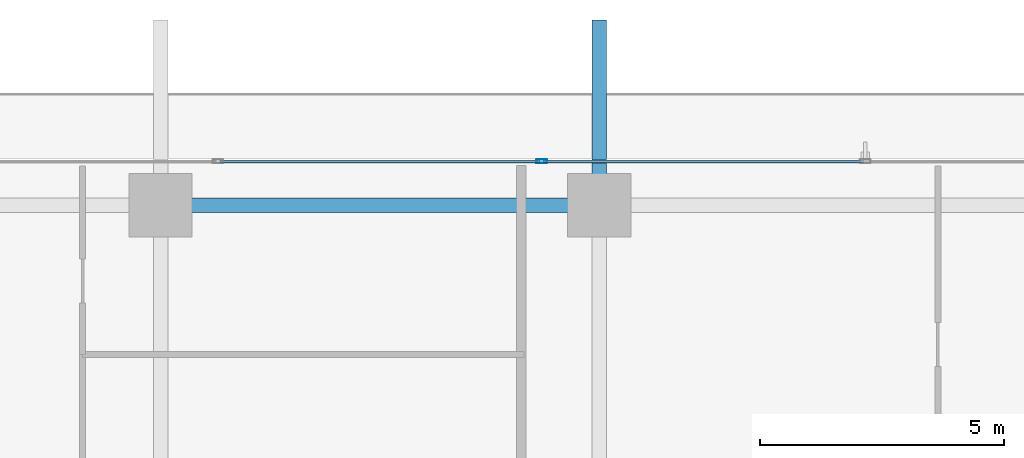
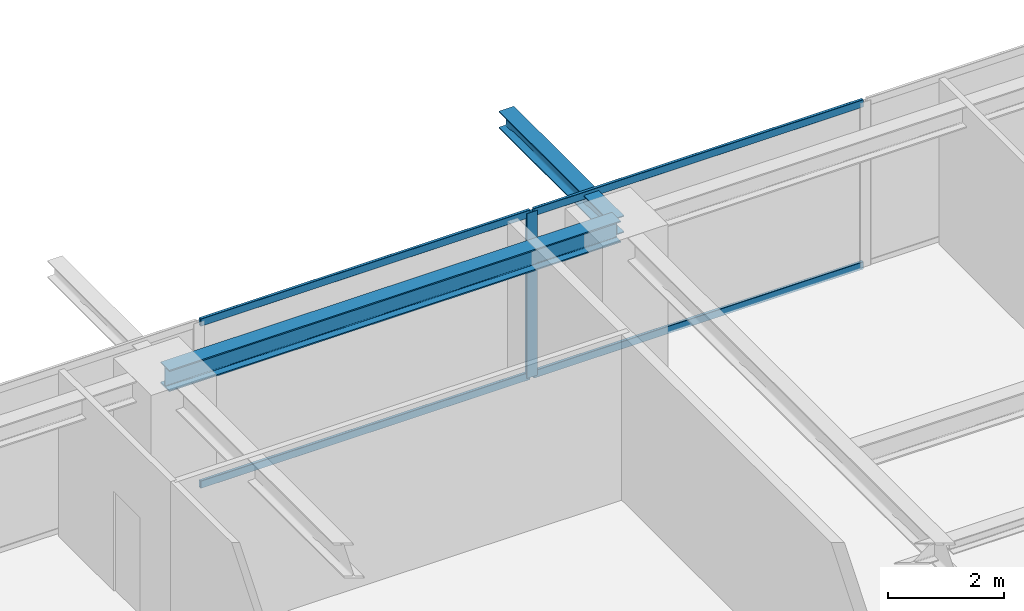
# One storey, part 20 of 35: 5 members, 2 beams, 1 element without a shape of its own.
"""IFC4 building model written with IfcOpenShell, lengths in metres."""

import ifcopenshell
import ifcopenshell.guid

model = None  # the IFC model being written
_history = None  # IfcOwnerHistory: only IFC2X3 demands one
_inside = {}  # id of a spatial element -> (the spatial element, [elements in it])
_under = {}  # id of a project, library or spatial element -> (it, [spatial elements below it])
_declared = {}  # id of a project -> (the project, [libraries it declares])
_typed = {}  # id of a type object -> (the type object, [elements of that type])
_made_of = {}  # id of a material, layer set ... -> (it, [elements and type objects made of it])


def new_model(schema):
    """Start an empty IFC model of exactly this schema.

    Asked for "IFC4X3", IfcOpenShell would pick the latest addendum, in which some entities
    have other attributes; the version numbers below select the first issue.
    IFC2X3 requires an IfcOwnerHistory on every rooted entity: one is made here for all.
    """
    global model, _history
    if schema == "IFC4X3":
        model = ifcopenshell.file(schema_version=(4, 3, 0, 0))
    else:
        model = ifcopenshell.file(schema=schema)
    _inside.clear()
    _under.clear()
    _declared.clear()
    _typed.clear()
    _made_of.clear()
    _history = None
    if model.schema == "IFC2X3":
        org = make("IfcOrganization", Name="unknown")
        user = make(
            "IfcPersonAndOrganization",
            ThePerson=make("IfcPerson", FamilyName="unknown"),
            TheOrganization=org,
        )
        app = make(
            "IfcApplication",
            ApplicationDeveloper=org,
            Version="unknown",
            ApplicationFullName="unknown",
            ApplicationIdentifier="unknown",
        )
        _history = make(
            "IfcOwnerHistory",
            OwningUser=user,
            OwningApplication=app,
            ChangeAction="ADDED",
            CreationDate=0,
        )
    return model


def make(cls, **values):
    """One entity of the class cls with the attributes given. An attribute that is None is left unset."""
    return model.create_entity(
        cls, **{name: value for name, value in values.items() if value is not None}
    )


def rooted(cls, **values):
    """An entity with a GlobalId (a new one), such as an element, a storey or a relation."""
    return make(cls, GlobalId=ifcopenshell.guid.new(), OwnerHistory=_history, **values)


def si_unit(unit_type, name, prefix=None):
    """IfcSIUnit, for example si_unit("LENGTHUNIT", "METRE", prefix="MILLI")."""
    return make("IfcSIUnit", UnitType=unit_type, Prefix=prefix, Name=name)


def assignment(units):
    """IfcUnitAssignment: the units of a project."""
    return None if units is None else make("IfcUnitAssignment", Units=units)


def point(xyz):
    """IfcCartesianPoint."""
    return None if xyz is None else make("IfcCartesianPoint", Coordinates=xyz)


def direction(xyz):
    """IfcDirection."""
    return None if xyz is None else make("IfcDirection", DirectionRatios=xyz)


def frame(location, z_axis=None, x_axis=None):
    """IfcAxis2Placement3D, a coordinate frame: its origin and axes. An axis left out is left unset."""
    return make(
        "IfcAxis2Placement3D",
        Location=point(location),
        Axis=direction(z_axis),
        RefDirection=direction(x_axis),
    )


def frame_2d(location, x_axis=None):
    """IfcAxis2Placement2D, a coordinate frame in the plane: its origin and x axis."""
    return make(
        "IfcAxis2Placement2D", Location=point(location), RefDirection=direction(x_axis)
    )


def origin():
    """The frame at (0, 0, 0) with its axes left unset."""
    return frame((0.0, 0.0, 0.0))


def origin_2d():
    """The frame at (0, 0) in the plane with its x axis left unset."""
    return frame_2d((0.0, 0.0))


def place(relative_to, where):
    """IfcLocalPlacement: puts the frame where relative to a parent placement (None: the world)."""
    return make(
        "IfcLocalPlacement", PlacementRelTo=relative_to, RelativePlacement=where
    )


def context(
    kind, dimensions, precision=None, world=None, true_north=None, identifier=None
):
    """IfcGeometricRepresentationContext, for example the 3D "Model" context."""
    return make(
        "IfcGeometricRepresentationContext",
        ContextIdentifier=identifier,
        ContextType=kind,
        CoordinateSpaceDimension=dimensions,
        Precision=precision,
        WorldCoordinateSystem=world,
        TrueNorth=true_north,
    )


def subcontext(parent, identifier, kind, view, scale=None):
    """IfcGeometricRepresentationSubContext, for example "Body" below "Model"."""
    return make(
        "IfcGeometricRepresentationSubContext",
        ContextIdentifier=identifier,
        ContextType=kind,
        ParentContext=parent,
        TargetScale=scale,
        TargetView=view,
    )


def project(units=None, contexts=None):
    """IfcProject with its units and contexts."""
    return rooted(
        "IfcProject",
        Name="project",
        RepresentationContexts=contexts,
        UnitsInContext=assignment(units),
    )


def spatial(cls, under=None, at=None, **own):
    """A site, building, storey or space (cls), placed at a placement, below another one or the project."""
    s = rooted(cls, ObjectPlacement=at, **own)
    if under is not None:
        _under.setdefault(under.id(), (under, []))[1].append(s)
    return s


def profile(cls, at=None, kind="AREA", **sizes):
    """A parametric profile (cls). Its sizes go by their IFC names, for example OverallWidth=200.0."""
    return make(cls, ProfileType=kind, Position=at, **sizes)


def hollow_rectangle(**sizes):
    """IfcRectangleHollowProfileDef."""
    return profile("IfcRectangleHollowProfileDef", **sizes)


def i_section(**sizes):
    """IfcIShapeProfileDef."""
    return profile("IfcIShapeProfileDef", **sizes)


def extrude(swept, where, along, depth):
    """IfcExtrudedAreaSolid: the profile swept, set in the frame where, extruded along a direction by depth."""
    return make(
        "IfcExtrudedAreaSolid",
        SweptArea=swept,
        Position=where,
        ExtrudedDirection=direction(along),
        Depth=depth,
    )


def shape(context_of_items, identifier, shape_type, items):
    """IfcShapeRepresentation: the items that make up one representation, for example the "Body"."""
    return make(
        "IfcShapeRepresentation",
        ContextOfItems=context_of_items,
        RepresentationIdentifier=identifier,
        RepresentationType=shape_type,
        Items=items,
    )


def source(mapping_origin, context_of_items, identifier, shape_type, items):
    """IfcRepresentationMap: a shape defined once, which mapped items show again and again."""
    return make(
        "IfcRepresentationMap",
        MappingOrigin=mapping_origin,
        MappedRepresentation=shape(context_of_items, identifier, shape_type, items),
    )


def transform(
    local_origin,
    x_axis=None,
    y_axis=None,
    z_axis=None,
    scale=None,
    scale2=None,
    scale3=None,
    uniform=True,
):
    """IfcCartesianTransformationOperator3D, or its non-uniform kind. x_axis, y_axis, z_axis: its Axis1, 2, 3."""
    if uniform:
        return make(
            "IfcCartesianTransformationOperator3D",
            Axis1=direction(x_axis),
            Axis2=direction(y_axis),
            LocalOrigin=point(local_origin),
            Scale=scale,
            Axis3=direction(z_axis),
        )
    return make(
        "IfcCartesianTransformationOperator3DnonUniform",
        Axis1=direction(x_axis),
        Axis2=direction(y_axis),
        LocalOrigin=point(local_origin),
        Scale=scale,
        Axis3=direction(z_axis),
        Scale2=scale2,
        Scale3=scale3,
    )


def mapped(mapping_source, mapping_target):
    """IfcMappedItem: shows the shape of a source again, moved by a transform."""
    return make(
        "IfcMappedItem", MappingSource=mapping_source, MappingTarget=mapping_target
    )


def material(Name=None, Category=None):
    """IfcMaterial."""
    return make("IfcMaterial", Name=Name, Category=Category)


def layer(
    of_material, thickness, ventilated=None, Name=None, Category=None, Priority=None
):
    """IfcMaterialLayer: one layer of a wall or slab, of a material (None: an air gap)."""
    return make(
        "IfcMaterialLayer",
        Material=of_material,
        LayerThickness=thickness,
        IsVentilated=ventilated,
        Name=Name,
        Category=Category,
        Priority=Priority,
    )


def layer_set(layers, Name=None):
    """IfcMaterialLayerSet."""
    return make("IfcMaterialLayerSet", MaterialLayers=layers, LayerSetName=Name)


def material_profile(
    of_material, cross_section, Name=None, Category=None, Priority=None
):
    """IfcMaterialProfile: a cross section and its material."""
    return make(
        "IfcMaterialProfile",
        Name=Name,
        Material=of_material,
        Profile=cross_section,
        Priority=Priority,
        Category=Category,
    )


def profile_set(profiles, Name=None, composite=None):
    """IfcMaterialProfileSet."""
    return make(
        "IfcMaterialProfileSet",
        Name=Name,
        MaterialProfiles=profiles,
        CompositeProfile=composite,
    )


def made_of(thing, what):
    """Note that an element or type object is made of a material, layer set ...; save() writes the relation."""
    if what is not None:
        _made_of.setdefault(what.id(), (what, []))[1].append(thing)
    return thing


def type_object(cls, material=None, **own):
    """A type object (cls), such as IfcWallType, which elements share."""
    return made_of(rooted(cls, **own), material)


def element(
    cls,
    number,
    at=None,
    inside=None,
    cuts=None,
    type_object=None,
    material=None,
    context=None,
    identifier="Body",
    shape_type=None,
    held_by="IfcProductDefinitionShape",
    body=None,
    shapes=None,
    **own,
):
    """One element of the class cls, such as IfcWall. Its Tag is "e" and its number.

    at: its placement. inside: the storey or other place that contains it. cuts: it is an
    opening in that element (IfcRelVoidsElement). A single representation is given by context,
    identifier, shape_type and body (its items); several are given by shapes. held_by: the class
    of the entity that holds the representations. save() writes the other relations.
    """
    e = rooted(cls, Tag="e%d" % number, ObjectPlacement=at, **own)
    if body is not None:
        shapes = [shape(context, identifier, shape_type, body)]
    if shapes is not None:
        e.Representation = make(held_by, Representations=shapes)
    if inside is not None:
        _inside.setdefault(inside.id(), (inside, []))[1].append(e)
    if cuts is not None:
        rooted(
            "IfcRelVoidsElement", RelatingBuildingElement=cuts, RelatedOpeningElement=e
        )
    if type_object is not None:
        _typed.setdefault(type_object.id(), (type_object, []))[1].append(e)
    return made_of(e, material)


def aggregate(whole, parts):
    """IfcRelAggregates: a whole, such as a stair, and the parts it consists of."""
    return rooted("IfcRelAggregates", RelatingObject=whole, RelatedObjects=parts)


def save(model, path):
    """Write the relations noted so far, then the file.

    IfcRelAggregates (storeys below a building ...), IfcRelContainedInSpatialStructure (elements
    in a storey), IfcRelDefinesByType, IfcRelAssociatesMaterial and IfcRelDeclares: one each for
    every whole, place, type object, material and project.
    """
    for whole, parts in _under.values():
        aggregate(whole, parts)
    for where, things in _inside.values():
        rooted(
            "IfcRelContainedInSpatialStructure",
            RelatedElements=things,
            RelatingStructure=where,
        )
    for kind, things in _typed.values():
        rooted("IfcRelDefinesByType", RelatedObjects=things, RelatingType=kind)
    for what, things in _made_of.values():
        rooted("IfcRelAssociatesMaterial", RelatedObjects=things, RelatingMaterial=what)
    for by, libraries in _declared.values():
        rooted("IfcRelDeclares", RelatingContext=by, RelatedDefinitions=libraries)
    model.write(path)


model = new_model("IFC4")

# Units and contexts
model_context = context("Model", 3, precision=1e-05, world=origin(), true_north=direction((0.0, 1.0)))
body_context = subcontext(model_context, "Body", "Model", "MODEL_VIEW")
ifc_project = project(units=[si_unit("LENGTHUNIT", "METRE"), si_unit("AREAUNIT", "SQUARE_METRE"), si_unit("VOLUMEUNIT", "CUBIC_METRE"), si_unit("PLANEANGLEUNIT", "RADIAN"), si_unit("MASSUNIT", "GRAM", prefix="KILO")], contexts=[model_context])

# Site, building, storey
site_placement = place(None, origin())
site = spatial("IfcSite", under=ifc_project, at=site_placement, CompositionType="ELEMENT")
building_placement = place(site_placement, origin())
building = spatial("IfcBuilding", under=site, at=building_placement, Name="Serunith Strait Residences", CompositionType="ELEMENT")
storey_placement = place(building_placement, frame((0.0, 0.0, 191.39990234375)))
storey = spatial("IfcBuildingStorey", under=building, at=storey_placement, Name="L48", CompositionType="ELEMENT", Elevation=191.39990234375)

# Beams
ifc_material_1 = material(Name="Steel S355J2", Category="steel")
ifc_material_profile_1 = material_profile(ifc_material_1, i_section(OverallWidth=0.300048828125, OverallDepth=0.449951171875, WebThickness=0.013916015625, FlangeThickness=0.02587890625, FilletRadius=0.027099609375, at=origin_2d()), Name="HEB 450")
ifc_profile_set_1 = profile_set([ifc_material_profile_1], Name="Steel S355J2")
beam_type_1 = type_object("IfcBeamType", Name="BM-HEB450", PredefinedType="BEAM", material=ifc_profile_set_1)
shared_shape_1 = source(origin(), body_context, "Body", "SweptSolid", [
    extrude(i_section(OverallWidth=0.300048828125, OverallDepth=0.449951171875, WebThickness=0.013916015625, FlangeThickness=0.02587890625, FilletRadius=0.027099609375, at=origin_2d()), origin(), (0.0, 0.0, 1.0), 9.0),
])
beam_1_placement = place(storey_placement, frame((36.89990234375, 48.10009765625, 3.26220703125), z_axis=(-1.0, 0.0, 0.0), x_axis=(0.0, -1.0, 0.0)))
element("IfcBeam", 1, at=beam_1_placement, inside=storey, type_object=beam_type_1, Name="L48 Perimeter Ring Beam 10", PredefinedType="BEAM", context=body_context, shape_type="MappedRepresentation", body=[
    mapped(shared_shape_1, transform((0.0, 0.0, 0.0), scale=1.0)),
])
ifc_material_profile_2 = material_profile(ifc_material_1, i_section(OverallWidth=0.300048828125, OverallDepth=0.360107421875, WebThickness=0.012451171875, FlangeThickness=0.0224609375, FilletRadius=0.027099609375, at=origin_2d()), Name="HEB 360")
ifc_profile_set_2 = profile_set([ifc_material_profile_2], Name="Steel S355J2")
beam_type_2 = type_object("IfcBeamType", Name="BM-HEB360", PredefinedType="BEAM", material=ifc_profile_set_2)
shared_shape_2 = source(origin(), body_context, "Body", "SweptSolid", [
    extrude(i_section(OverallWidth=0.300048828125, OverallDepth=0.360107421875, WebThickness=0.012451171875, FlangeThickness=0.0224609375, FilletRadius=0.027099609375, at=origin_2d()), origin(), (0.0, 0.0, 1.0), 3.7998046875),
])
beam_2_placement = place(storey_placement, frame((36.89990234375, 48.10009765625, 3.277099609375), z_axis=(0.0, 1.0, 0.0), x_axis=(-1.0, 0.0, 0.0)))
element("IfcBeam", 2, at=beam_2_placement, inside=storey, type_object=beam_type_2, Name="L49 Cantilevered Balcony Rib TC-N3", PredefinedType="BEAM", context=body_context, shape_type="MappedRepresentation", body=[
    mapped(shared_shape_2, transform((0.0, 0.0, 0.0), scale=1.0)),
])

# Curtain wall, members
ifc_material_2 = material(Name="Pale-Silver PVDF Aluminium", Category="aluminium")
ifc_layer = layer(ifc_material_2, 0.199951171875, Name="Pale-Silver PVDF Aluminium")
ifc_layer_set = layer_set([ifc_layer], Name="Pale-Silver PVDF Aluminium")
curtain_wall_type = type_object("IfcCurtainWallType", Name="CW-SYS3", PredefinedType="NOTDEFINED", material=ifc_layer_set)
curtain_wall_placement = place(storey_placement, origin())
curtain_wall = element("IfcCurtainWall", 3, at=curtain_wall_placement, inside=storey, type_object=curtain_wall_type, Name="L48 N Unitised Fritted Curtain Wall", PredefinedType="NOTDEFINED")
ifc_material_profile_3 = material_profile(ifc_material_2, hollow_rectangle(XDim=0.074951171875, YDim=0.219970703125, WallThickness=0.00390625, InnerFilletRadius=0.006103515625, OuterFilletRadius=0.010009765625, at=origin_2d()), Name="ALU 220x75x4")
ifc_profile_set_3 = profile_set([ifc_material_profile_3], Name="Pale-Silver PVDF Aluminium")
member_type_1 = type_object("IfcMemberType", Name="CW-SYS3-MULL", PredefinedType="MULLION", material=ifc_profile_set_3)
shared_shape_3 = source(origin(), body_context, "Body", "SweptSolid", [
    extrude(hollow_rectangle(XDim=0.074951171875, YDim=0.219970703125, WallThickness=0.00390625, InnerFilletRadius=0.006103515625, OuterFilletRadius=0.010009765625, at=origin_2d()), origin(), (0.0, 0.0, 1.0), 3.47509765625),
])
member_1_placement = place(storey_placement, frame((35.719970703125, 49.0, 0.0), z_axis=(0.0, 0.0, 1.0), x_axis=(0.0, -1.0, 0.0)))
member_1 = element("IfcMember", 4, at=member_1_placement, type_object=member_type_1, Name="CW-3 mullion 3", PredefinedType="MULLION", context=body_context, shape_type="MappedRepresentation", body=[
    mapped(shared_shape_3, transform((0.0, 0.0, 0.0), scale=1.0)),
])
ifc_material_profile_4 = material_profile(ifc_material_2, hollow_rectangle(XDim=0.06005859375, YDim=0.159912109375, WallThickness=0.00341796875, InnerFilletRadius=0.00537109375, OuterFilletRadius=0.0087890625, at=origin_2d()), Name="ALU 160x60x3.5")
ifc_profile_set_4 = profile_set([ifc_material_profile_4], Name="Pale-Silver PVDF Aluminium")
member_type_2 = type_object("IfcMemberType", Name="CW-SYS3-TRAN", PredefinedType="USERDEFINED", material=ifc_profile_set_4)
shared_shape_4 = source(origin(), body_context, "Body", "SweptSolid", [
    extrude(hollow_rectangle(XDim=0.06005859375, YDim=0.159912109375, WallThickness=0.00341796875, InnerFilletRadius=0.00537109375, OuterFilletRadius=0.0087890625, at=origin_2d()), origin(), (0.0, 0.0, 1.0), 6.56494140625),
])
member_2_placement = place(storey_placement, frame((42.322509765625, 49.0, 0.030029296875), z_axis=(-1.0, 0.0, 0.0), x_axis=(0.0, -1.0, 0.0)))
member_2 = element("IfcMember", 5, at=member_2_placement, type_object=member_type_2, Name="CW-3 transom 2.1", ObjectType="TRANSOM", PredefinedType="USERDEFINED", context=body_context, shape_type="MappedRepresentation", body=[
    mapped(shared_shape_4, transform((0.0, 0.0, 0.0), scale=1.0)),
])
member_3_placement = place(storey_placement, frame((42.322509765625, 49.0, 3.445068359375), z_axis=(-1.0, 0.0, 0.0), x_axis=(0.0, -1.0, 0.0)))
member_3 = element("IfcMember", 6, at=member_3_placement, type_object=member_type_2, Name="CW-3 transom 2.2", ObjectType="TRANSOM", PredefinedType="USERDEFINED", context=body_context, shape_type="MappedRepresentation", body=[
    mapped(shared_shape_4, transform((0.0, 0.0, 0.0), scale=1.0)),
])
shared_shape_5 = source(origin(), body_context, "Body", "SweptSolid", [
    extrude(hollow_rectangle(XDim=0.06005859375, YDim=0.159912109375, WallThickness=0.00341796875, InnerFilletRadius=0.00537109375, OuterFilletRadius=0.0087890625, at=origin_2d()), origin(), (0.0, 0.0, 1.0), 6.565185546875),
])
member_4_placement = place(storey_placement, frame((35.6826171875, 49.0, 0.030029296875), z_axis=(-1.0, 0.0, 0.0), x_axis=(0.0, -1.0, 0.0)))
member_4 = element("IfcMember", 7, at=member_4_placement, type_object=member_type_2, Name="CW-3 transom 3.1", ObjectType="TRANSOM", PredefinedType="USERDEFINED", context=body_context, shape_type="MappedRepresentation", body=[
    mapped(shared_shape_5, transform((0.0, 0.0, 0.0), scale=1.0)),
])
member_5_placement = place(storey_placement, frame((35.6826171875, 49.0, 3.445068359375), z_axis=(-1.0, 0.0, 0.0), x_axis=(0.0, -1.0, 0.0)))
member_5 = element("IfcMember", 8, at=member_5_placement, type_object=member_type_2, Name="CW-3 transom 3.2", ObjectType="TRANSOM", PredefinedType="USERDEFINED", context=body_context, shape_type="MappedRepresentation", body=[
    mapped(shared_shape_5, transform((0.0, 0.0, 0.0), scale=1.0)),
])
aggregate(curtain_wall, [member_1, member_2, member_3, member_4, member_5])

save(model, "model.ifc")
